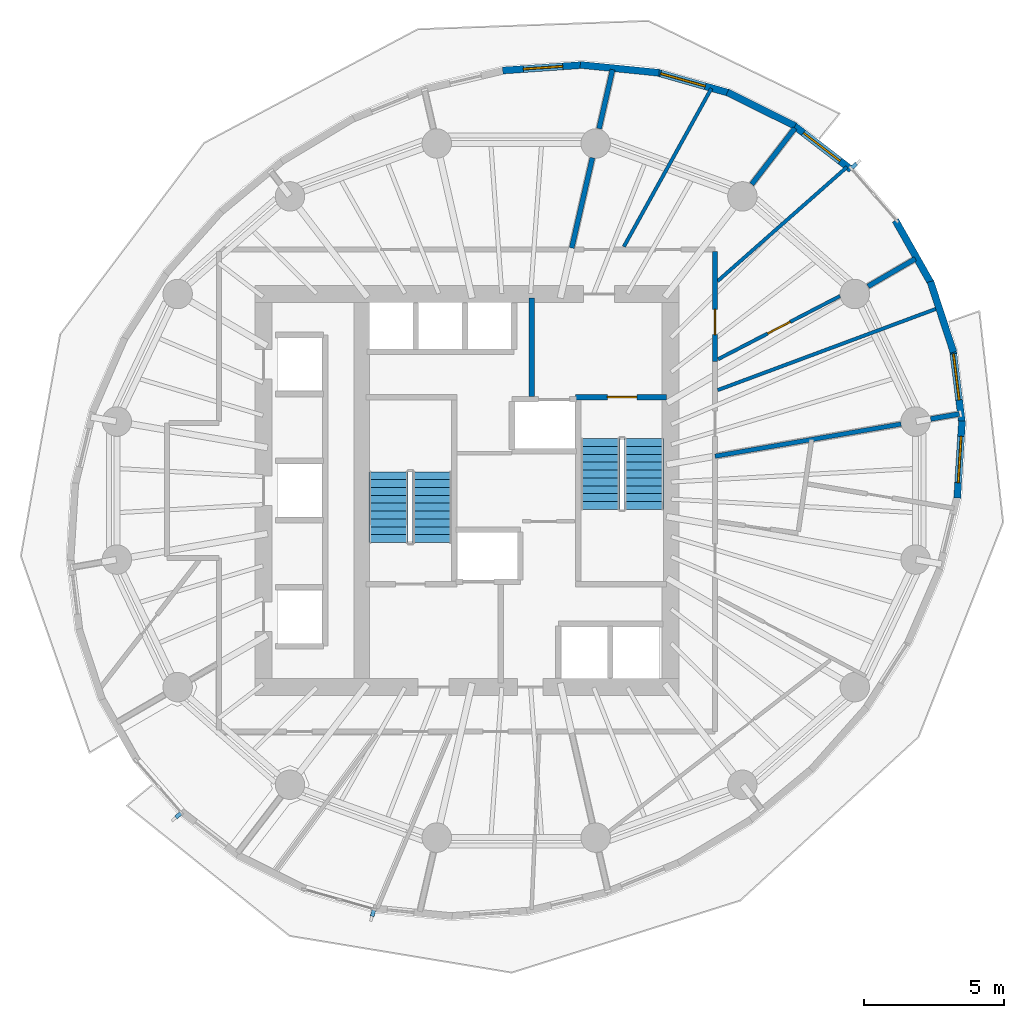
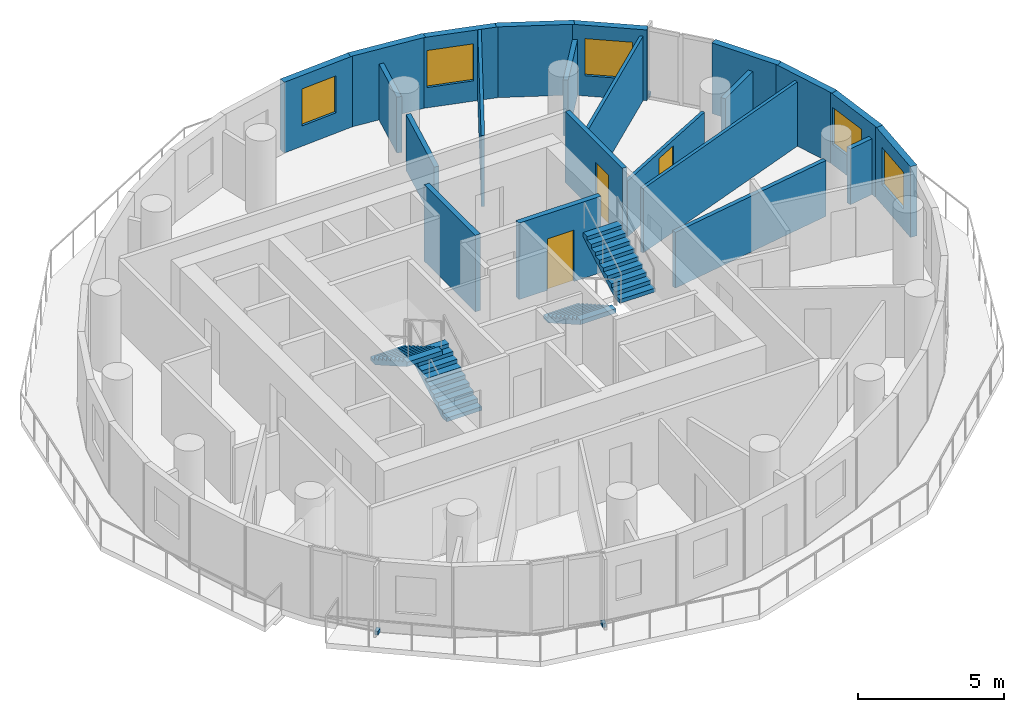
# One storey, part 7 of 12: 22 walls, 5 windows, 4 stair flights, 3 discrete accessories, 3 doors, 8 openings, 2 elements without a shape of their own.
"""IFC4 building model written with IfcOpenShell, lengths in metres."""

from ifc_helpers import new_model, si_unit, direction, frame, frame_2d, origin, origin_2d, place, context, subcontext, project, spatial, polyline, rectangle, outline, extrude, material, layer, layer_set, type_object, element, fill, aggregate, save


model = new_model("IFC4")

# Units and contexts
model_context = context("Model", 3, precision=1e-05, world=origin(), true_north=direction((0.0, 1.0)))
body_context = subcontext(model_context, "Body", "Model", "MODEL_VIEW")
ifc_project = project(units=[si_unit("LENGTHUNIT", "METRE"), si_unit("AREAUNIT", "SQUARE_METRE"), si_unit("VOLUMEUNIT", "CUBIC_METRE"), si_unit("PLANEANGLEUNIT", "RADIAN"), si_unit("MASSUNIT", "GRAM", prefix="KILO")], contexts=[model_context])

# Site, building, storey
site_placement = place(None, origin())
site = spatial("IfcSite", under=ifc_project, at=site_placement, CompositionType="ELEMENT")
building_placement = place(site_placement, origin())
building = spatial("IfcBuilding", under=site, at=building_placement, Name="Veldorim Arch Residences", CompositionType="ELEMENT")
storey_placement = place(building_placement, frame((0.0, 0.0, 148.9599609375)))
storey = spatial("IfcBuildingStorey", under=building, at=storey_placement, Name="L44", CompositionType="ELEMENT", Elevation=148.9599609375)

# Walls
ifc_material_1 = material(Name="Acoustic Gypsum Board", Category="gypsum")
ifc_layer_1 = layer(ifc_material_1, 0.125, Name="Acoustic Stud Room Partition Wall 125")
ifc_layer_set_1 = layer_set([ifc_layer_1], Name="Acoustic Gypsum Board")
wall_type_1 = type_object("IfcWallType", Name="Acoustic Stud Room Partition Wall 125", PredefinedType="PARTITIONING", material=ifc_layer_set_1)
wall_1_placement = place(storey_placement, frame((38.951171875, 38.322509765625, 0.0), z_axis=(0.0, 0.0, 1.0), x_axis=(-0.484039777335, -0.875045995338, 0.0)))
element("IfcWall", 1, at=wall_1_placement, inside=storey, type_object=wall_type_1, Name="L44 interior wall WL-RES-L44-021", PredefinedType="PARTITIONING", context=body_context, shape_type="SweptSolid", body=[
    extrude(rectangle(XDim=6.4423828125, YDim=0.125, at=frame_2d((3.22119140625, 0.0))), origin(), (0.0, 0.0, 1.0), 2.955078125),
])
wall_2_placement = place(storey_placement, frame((43.78271484375, 35.5244140625, 0.0), z_axis=(0.0, 0.0, 1.0), x_axis=(-0.750018545151, -0.661416798947, 0.0)))
element("IfcWall", 2, at=wall_2_placement, inside=storey, type_object=wall_type_1, Name="L44 interior wall WL-RES-L44-023", PredefinedType="PARTITIONING", context=body_context, shape_type="SweptSolid", body=[
    extrude(rectangle(XDim=6.150146484375, YDim=0.125, at=frame_2d((3.0751953125, 0.0))), origin(), (0.0, 0.0, 1.0), 2.692138671875),
])

# Wall, opening, door
wall_3_placement = place(storey_placement, frame((43.531494140625, 30.927001953125, 0.0), z_axis=(0.0, 0.0, 1.0), x_axis=(-0.888041341995, -0.459763607638, 0.0)))
wall_3 = element("IfcWall", 3, at=wall_3_placement, inside=storey, type_object=wall_type_1, Name="L44 interior wall WL-RES-L44-024", PredefinedType="PARTITIONING", context=body_context, shape_type="SweptSolid", body=[
    extrude(rectangle(XDim=4.892822265625, YDim=0.125, at=frame_2d((2.4462890625, 0.0))), origin(), (0.0, 0.0, 1.0), 2.3359375),
])
opening_1_placement = place(wall_3_placement, frame((1.996337890625, 0.0, 0.0)))
opening_1 = element("IfcOpeningElement", 4, at=opening_1_placement, cuts=wall_3, Name="Opening DR-INT", PredefinedType="OPENING", context=body_context, shape_type="SweptSolid", body=[
    extrude(rectangle(XDim=0.89990234375, YDim=2.10009765625, at=frame_2d((0.449951171875, 1.050048828125))), frame((0.0, 0.072509765625, 0.0), z_axis=(0.0, -1.0, 0.0), x_axis=(1.0, 0.0, 0.0)), (0.0, 0.0, 1.0), 0.14501953125),
])
ifc_material_2 = material(Name="Engineered Timber", Category="wood")
door_type_1 = type_object("IfcDoorType", Name="Apartment Internal Room Timber Door 900x2100", OperationType="SINGLE_SWING_LEFT", PredefinedType="DOOR", material=ifc_material_2)
door_1_placement = place(opening_1_placement, origin())
door_1 = element("IfcDoor", 5, at=door_1_placement, inside=storey, type_object=door_type_1, Name="L44 interior door DR-RES-L44-014", OperationType="SINGLE_SWING_RIGHT", OverallHeight=2.10009765625, OverallWidth=0.89990234375, PredefinedType="DOOR", context=body_context, shape_type="SweptSolid", body=[
    extrude(rectangle(XDim=0.89990234375, YDim=2.10009765625, at=frame_2d((0.449951171875, 1.050048828125))), frame((0.0, 0.02490234375, 0.0), z_axis=(0.0, -1.0, 0.0), x_axis=(1.0, 0.0, 0.0)), (0.0, 0.0, 1.0), 0.050048828125),
])
fill(opening_1, door_1)

# Walls
wall_4_placement = place(storey_placement, frame((39.173583984375, 27.57666015625, 0.0), z_axis=(0.0, 0.0, 1.0), x_axis=(0.9372070401, 0.348773513883, 0.0)))
element("IfcWall", 6, at=wall_4_placement, inside=storey, type_object=wall_type_1, Name="L44 interior wall WL-RES-L44-025", PredefinedType="PARTITIONING", context=body_context, shape_type="SweptSolid", body=[
    extrude(rectangle(XDim=8.39501953125, YDim=0.125, at=frame_2d((4.197509765625, 0.0))), origin(), (0.0, 0.0, 1.0), 2.692138671875),
])
ifc_material_3 = material(Name="Lightweight Masonry Block & Gypsum", Category="masonry")
ifc_layer_2 = layer(ifc_material_3, 0.179931640625, Name="Compartment & Corridor Fire-Rated Party Wall 180")
ifc_layer_set_2 = layer_set([ifc_layer_2], Name="Lightweight Masonry Block & Gypsum")
wall_type_2 = type_object("IfcWallType", Name="Compartment & Corridor Fire-Rated Party Wall 180", PredefinedType="PARTITIONING", material=ifc_layer_set_2)
wall_5_placement = place(storey_placement, frame((46.75830078125, 26.55078125, 0.0), z_axis=(0.0, 0.0, 1.0), x_axis=(0.985390767806, 0.170308645474, 0.0)))
element("IfcWall", 7, at=wall_5_placement, inside=storey, type_object=wall_type_2, Name="L44 interior wall WL-PIER-L44-01", PredefinedType="PARTITIONING", context=body_context, shape_type="SweptSolid", body=[
    extrude(rectangle(XDim=1.037841796875, YDim=0.179931640625, at=frame_2d((0.51904296875, 0.0))), origin(), (0.0, 0.0, 1.0), 2.3359375),
])
wall_6_placement = place(storey_placement, frame((44.527587890625, 31.27392578125, 0.0), z_axis=(0.0, 0.0, 1.0), x_axis=(0.864802971131, 0.502111363268, 0.0)))
element("IfcWall", 8, at=wall_6_placement, inside=storey, type_object=wall_type_2, Name="L44 interior wall WL-PIER-L44-02", PredefinedType="PARTITIONING", context=body_context, shape_type="SweptSolid", body=[
    extrude(rectangle(XDim=1.95068359375, YDim=0.179931640625, at=frame_2d((0.975341796875, 0.0))), origin(), (0.0, 0.0, 1.0), 2.3359375),
])
wall_7_placement = place(storey_placement, frame((40.387939453125, 34.908447265625, 0.0), z_axis=(0.0, 0.0, 1.0), x_axis=(0.609556175004, 0.792742877303, 0.0)))
element("IfcWall", 9, at=wall_7_placement, inside=storey, type_object=wall_type_2, Name="L44 interior wall WL-PIER-L44-03", PredefinedType="PARTITIONING", context=body_context, shape_type="SweptSolid", body=[
    extrude(rectangle(XDim=2.518798828125, YDim=0.179931640625, at=frame_2d((1.25927734375, 0.0))), origin(), (0.0, 0.0, 1.0), 2.3359375),
])
wall_8_placement = place(storey_placement, frame((34.950439453125, 36.88916015625, 0.0), z_axis=(0.0, 0.0, 1.0), x_axis=(0.223080127706, 0.974800111111, 0.0)))
element("IfcWall", 10, at=wall_8_placement, inside=storey, type_object=wall_type_2, Name="L44 interior wall WL-PIER-L44-04", PredefinedType="PARTITIONING", context=body_context, shape_type="SweptSolid", body=[
    extrude(rectangle(XDim=2.15478515625, YDim=0.179931640625, at=frame_2d((1.077392578125, 0.0))), origin(), (0.0, 0.0, 1.0), 2.3359375),
])

# Wall, opening, door
wall_9_placement = place(storey_placement, frame((39.080078125, 32.52001953125, 0.0), z_axis=(0.0, 0.0, 1.0), x_axis=(0.0, -1.0, 0.0)))
wall_9 = element("IfcWall", 11, at=wall_9_placement, inside=storey, type_object=wall_type_2, Name="L44 interior wall WL-RES-L44-005", PredefinedType="PARTITIONING", context=body_context, shape_type="SweptSolid", body=[
    extrude(rectangle(XDim=3.917724609375, YDim=0.179931640625, at=frame_2d((1.958984375, 0.0))), origin(), (0.0, 0.0, 1.0), 2.955078125),
])
opening_2_placement = place(wall_9_placement, frame((2.06689453125, 0.0, 0.0)))
opening_2 = element("IfcOpeningElement", 12, at=opening_2_placement, cuts=wall_9, Name="Opening DR-SVC", PredefinedType="OPENING", context=body_context, shape_type="SweptSolid", body=[
    extrude(rectangle(XDim=0.89990234375, YDim=2.10009765625, at=frame_2d((0.449951171875, 1.050048828125))), frame((0.0, 0.099853515625, 0.0), z_axis=(0.0, -1.0, 0.0), x_axis=(1.0, 0.0, 0.0)), (0.0, 0.0, 1.0), 0.199951171875),
])
ifc_material_4 = material(Name="Fire-Rated Steel", Category="steel")
door_type_2 = type_object("IfcDoorType", Name="Riser, Shelter & Plant Room Rated Steel Door 900x2100", OperationType="SINGLE_SWING_LEFT", PredefinedType="DOOR", material=ifc_material_4)
door_2_placement = place(opening_2_placement, origin())
door_2 = element("IfcDoor", 13, at=door_2_placement, inside=storey, type_object=door_type_2, Name="L44 interior door DR-RES-L44-012", OperationType="SINGLE_SWING_RIGHT", OverallHeight=2.10009765625, OverallWidth=0.89990234375, PredefinedType="DOOR", context=body_context, shape_type="SweptSolid", body=[
    extrude(rectangle(XDim=0.89990234375, YDim=2.10009765625, at=frame_2d((0.449951171875, 1.050048828125))), frame((0.0, 0.02490234375, 0.0), z_axis=(0.0, -1.0, 0.0), x_axis=(1.0, 0.0, 0.0)), (0.0, 0.0, 1.0), 0.050048828125),
])
fill(opening_2, door_2)

# Wall
wall_10_placement = place(storey_placement, frame((33.977294921875, 32.638427734375, 0.0), z_axis=(0.0, 0.0, 1.0), x_axis=(0.22319287001, 0.974774303506, 0.0)))
element("IfcWall", 14, at=wall_10_placement, inside=storey, type_object=wall_type_2, Name="L44 interior wall WL-RES-L44-022", PredefinedType="PARTITIONING", context=body_context, shape_type="SweptSolid", body=[
    extrude(rectangle(XDim=3.2958984375, YDim=0.179931640625, at=frame_2d((1.64794921875, 0.0))), origin(), (0.0, 0.0, 1.0), 2.3359375),
])

# Wall, opening, door
ifc_material_5 = material(Name="Concrete C50/60", Category="concrete")
ifc_layer_3 = layer(ifc_material_5, 0.199951171875, Name="Core Stair & Lift Shaft Enclosure Wall 200")
ifc_layer_set_3 = layer_set([ifc_layer_3], Name="Concrete C50/60")
wall_type_3 = type_object("IfcWallType", Name="Core Stair & Lift Shaft Enclosure Wall 200", PredefinedType="SHEAR", material=ifc_layer_set_3)
wall_11_placement = place(storey_placement, frame((34.110107421875, 27.330078125, 0.0), z_axis=(0.0, 0.0, 1.0), x_axis=(1.0, 0.0, 0.0)))
wall_11 = element("IfcWall", 15, at=wall_11_placement, inside=storey, type_object=wall_type_3, Name="L44 shaft wall WL-SHF-L44-ST2-N", PredefinedType="SHEAR", context=body_context, shape_type="SweptSolid", body=[
    extrude(rectangle(XDim=3.239990234375, YDim=0.199951171875, at=frame_2d((1.6201171875, 0.0))), origin(), (0.0, 0.0, 1.0), 3.199951171875),
])
opening_3_placement = place(wall_11_placement, frame((1.135009765625, 0.0, 0.0)))
opening_3 = element("IfcOpeningElement", 16, at=opening_3_placement, cuts=wall_11, Name="Opening DR-ST", PredefinedType="OPENING", context=body_context, shape_type="SweptSolid", body=[
    extrude(rectangle(XDim=1.050048828125, YDim=2.14990234375, at=frame_2d((0.52490234375, 1.074951171875))), frame((0.0, 0.10986328125, 0.0), z_axis=(0.0, -1.0, 0.0), x_axis=(1.0, 0.0, 0.0)), (0.0, 0.0, 1.0), 0.219970703125),
])
ifc_material_6 = material(Name="Fire-Rated Steel", Category="steel")
door_type_3 = type_object("IfcDoorType", Name="Exit Staircase Self-Closing Fire Door 1050x2150", OperationType="SINGLE_SWING_LEFT", PredefinedType="DOOR", material=ifc_material_6)
door_3_placement = place(opening_3_placement, origin())
door_3 = element("IfcDoor", 17, at=door_3_placement, inside=storey, type_object=door_type_3, Name="L44 interior door DR-L44-ST2", OperationType="SINGLE_SWING_RIGHT", OverallHeight=2.14990234375, OverallWidth=1.050048828125, PredefinedType="DOOR", context=body_context, shape_type="SweptSolid", body=[
    extrude(rectangle(XDim=1.050048828125, YDim=2.14990234375, at=frame_2d((0.52490234375, 1.074951171875))), frame((0.0, 0.02490234375, 0.0), z_axis=(0.0, -1.0, 0.0), x_axis=(1.0, 0.0, 0.0)), (0.0, 0.0, 1.0), 0.050048828125),
])
fill(opening_3, door_3)

# Wall
wall_12_placement = place(storey_placement, frame((32.550048828125, 27.35009765625, 0.0), z_axis=(0.0, 0.0, 1.0), x_axis=(0.0, 1.0, 0.0)))
element("IfcWall", 18, at=wall_12_placement, inside=storey, type_object=wall_type_3, Name="L44 shaft wall WL-FFL2-L44-W", PredefinedType="SHEAR", context=body_context, shape_type="SweptSolid", body=[
    extrude(rectangle(XDim=3.5, YDim=0.199951171875, at=frame_2d((1.75, 0.0))), origin(), (0.0, 0.0, 1.0), 3.199951171875),
])

# Wall, opening, window
ifc_material_7 = material(Name="Precast concrete C40/50", Category="concrete")
ifc_layer_4 = layer(ifc_material_7, 0.25, Name="Tower Terracotta Spandrel & Pier Wall 250")
ifc_layer_set_4 = layer_set([ifc_layer_4], Name="Precast concrete C40/50")
wall_type_4 = type_object("IfcWallType", Name="Tower Terracotta Spandrel & Pier Wall 250", PredefinedType="SOLIDWALL", material=ifc_layer_set_4)
wall_13_placement = place(storey_placement, frame((41.83056640625, 37.046142578125, 0.0), z_axis=(0.0, 0.0, 1.0), x_axis=(0.7923805969, -0.610027040103, 0.0)))
wall_13 = element("IfcWall", 19, at=wall_13_placement, inside=storey, type_object=wall_type_4, Name="L44 terracotta facade wall 02", PredefinedType="SOLIDWALL", context=body_context, shape_type="SweptSolid", body=[
    extrude(rectangle(XDim=2.648193359375, YDim=0.25, at=frame_2d((1.32421875, 0.0))), origin(), (0.0, 0.0, 1.0), 2.9599609375),
])
opening_4_placement = place(wall_13_placement, frame((0.4990234375, 0.0, 0.85009765625)))
opening_4 = element("IfcOpeningElement", 20, at=opening_4_placement, cuts=wall_13, Name="Opening WN-03", PredefinedType="OPENING", context=body_context, shape_type="SweptSolid", body=[
    extrude(rectangle(XDim=1.64990234375, YDim=1.550048828125, at=frame_2d((0.824951171875, 0.77490234375))), frame((0.0, 0.135009765625, 0.0), z_axis=(0.0, -1.0, 0.0), x_axis=(1.0, 0.0, 0.0)), (0.0, 0.0, 1.0), 0.27001953125),
])
ifc_material_8 = material(Name="Laminated Low-E Glass", Category="glass")
window_type_1 = type_object("IfcWindowType", Name="Residential Wide Window 1650x1550", PartitioningType="SINGLE_PANEL", PredefinedType="WINDOW", material=ifc_material_8)
window_1_placement = place(opening_4_placement, origin())
window_1 = element("IfcWindow", 21, at=window_1_placement, inside=storey, type_object=window_type_1, Name="L44 solar-control facade window 02", OverallHeight=1.550048828125, OverallWidth=1.64990234375, PartitioningType="SINGLE_PANEL", PredefinedType="WINDOW", context=body_context, shape_type="SweptSolid", body=[
    extrude(rectangle(XDim=1.64990234375, YDim=1.550048828125, at=frame_2d((0.824951171875, 0.77490234375))), frame((0.0, 0.030029296875, 0.0), z_axis=(0.0, -1.0, 0.0), x_axis=(1.0, 0.0, 0.0)), (0.0, 0.0, 1.0), 0.06005859375),
])
fill(opening_4, window_1)

# Wall
wall_14_placement = place(storey_placement, frame((39.51708984375, 38.18798828125, 0.0), z_axis=(0.0, 0.0, 1.0), x_axis=(0.894843809708, -0.446379385979, 0.0)))
element("IfcWall", 22, at=wall_14_placement, inside=storey, type_object=wall_type_4, Name="L44 terracotta facade wall 03", PredefinedType="SOLIDWALL", context=body_context, shape_type="SweptSolid", body=[
    extrude(rectangle(XDim=2.693115234375, YDim=0.25, at=frame_2d((1.3466796875, 0.0))), origin(), (0.0, 0.0, 1.0), 2.9599609375),
])

# Wall, opening, window
wall_15_placement = place(storey_placement, frame((36.97509765625, 38.900146484375, 0.0), z_axis=(0.0, 0.0, 1.0), x_axis=(0.961851311091, -0.27357276062, 0.0)))
wall_15 = element("IfcWall", 23, at=wall_15_placement, inside=storey, type_object=wall_type_4, Name="L44 terracotta facade wall 04", PredefinedType="SOLIDWALL", context=body_context, shape_type="SweptSolid", body=[
    extrude(rectangle(XDim=2.752197265625, YDim=0.25, at=frame_2d((1.3759765625, 0.0))), origin(), (0.0, 0.0, 1.0), 2.9599609375),
])
opening_5_placement = place(wall_15_placement, frame((0.175048828125, 0.0, 0.85009765625)))
opening_5 = element("IfcOpeningElement", 24, at=opening_5_placement, cuts=wall_15, Name="Opening WN-03", PredefinedType="OPENING", context=body_context, shape_type="SweptSolid", body=[
    extrude(rectangle(XDim=1.64990234375, YDim=1.550048828125, at=frame_2d((0.824951171875, 0.77490234375))), frame((0.0, 0.135009765625, 0.0), z_axis=(0.0, -1.0, 0.0), x_axis=(1.0, 0.0, 0.0)), (0.0, 0.0, 1.0), 0.27001953125),
])
window_2_placement = place(opening_5_placement, origin())
window_2 = element("IfcWindow", 25, at=window_2_placement, inside=storey, type_object=window_type_1, Name="L44 solar-control facade window 04", OverallHeight=1.550048828125, OverallWidth=1.64990234375, PartitioningType="SINGLE_PANEL", PredefinedType="WINDOW", context=body_context, shape_type="SweptSolid", body=[
    extrude(rectangle(XDim=1.64990234375, YDim=1.550048828125, at=frame_2d((0.824951171875, 0.77490234375))), frame((0.0, 0.030029296875, 0.0), z_axis=(0.0, -1.0, 0.0), x_axis=(1.0, 0.0, 0.0)), (0.0, 0.0, 1.0), 0.06005859375),
])
fill(opening_5, window_2)

# Wall
wall_16_placement = place(storey_placement, frame((34.281494140625, 39.16015625, 0.0), z_axis=(0.0, 0.0, 1.0), x_axis=(0.995013999105, -0.099735357744, 0.0)))
element("IfcWall", 26, at=wall_16_placement, inside=storey, type_object=wall_type_4, Name="L44 terracotta facade wall 05", PredefinedType="SOLIDWALL", context=body_context, shape_type="SweptSolid", body=[
    extrude(rectangle(XDim=2.817626953125, YDim=0.25, at=frame_2d((1.40869140625, 0.0))), origin(), (0.0, 0.0, 1.0), 2.9599609375),
])

# Wall, opening, window
wall_17_placement = place(storey_placement, frame((31.517333984375, 38.960205078125, 0.0), z_axis=(0.0, 0.0, 1.0), x_axis=(0.997630729469, 0.068796276206, 0.0)))
wall_17 = element("IfcWall", 27, at=wall_17_placement, inside=storey, type_object=wall_type_4, Name="L44 terracotta facade wall 06", PredefinedType="SOLIDWALL", context=body_context, shape_type="SweptSolid", body=[
    extrude(rectangle(XDim=2.881591796875, YDim=0.25, at=frame_2d((1.44091796875, 0.0))), origin(), (0.0, 0.0, 1.0), 2.9599609375),
])
opening_6_placement = place(wall_17_placement, frame((0.740966796875, 0.0, 0.85009765625)))
opening_6 = element("IfcOpeningElement", 28, at=opening_6_placement, cuts=wall_17, Name="Opening WN-02", PredefinedType="OPENING", context=body_context, shape_type="SweptSolid", body=[
    extrude(rectangle(XDim=1.39990234375, YDim=1.550048828125, at=frame_2d((0.699951171875, 0.77490234375))), frame((0.0, 0.135009765625, 0.0), z_axis=(0.0, -1.0, 0.0), x_axis=(1.0, 0.0, 0.0)), (0.0, 0.0, 1.0), 0.27001953125),
])
ifc_material_9 = material(Name="Laminated Low-E Glass", Category="glass")
window_type_2 = type_object("IfcWindowType", Name="Residential Casement Window 1400x1550", PartitioningType="SINGLE_PANEL", PredefinedType="WINDOW", material=ifc_material_9)
window_3_placement = place(opening_6_placement, origin())
window_3 = element("IfcWindow", 29, at=window_3_placement, inside=storey, type_object=window_type_2, Name="L44 solar-control facade window 06", OverallHeight=1.550048828125, OverallWidth=1.39990234375, PartitioningType="SINGLE_PANEL", PredefinedType="WINDOW", context=body_context, shape_type="SweptSolid", body=[
    extrude(rectangle(XDim=1.39990234375, YDim=1.550048828125, at=frame_2d((0.699951171875, 0.77490234375))), frame((0.0, 0.030029296875, 0.0), z_axis=(0.0, -1.0, 0.0), x_axis=(1.0, 0.0, 0.0)), (0.0, 0.0, 1.0), 0.06005859375),
])
fill(opening_6, window_3)

wall_18_placement = place(storey_placement, frame((47.877685546875, 26.479248046875, 0.0), z_axis=(0.0, 0.0, 1.0), x_axis=(-0.062278868317, -0.998058787127, 0.0)))
wall_18 = element("IfcWall", 30, at=wall_18_placement, inside=storey, type_object=wall_type_4, Name="L44 terracotta facade wall 33", PredefinedType="SOLIDWALL", context=body_context, shape_type="SweptSolid", body=[
    extrude(rectangle(XDim=2.751953125, YDim=0.25, at=frame_2d((1.3759765625, 0.0))), origin(), (0.0, 0.0, 1.0), 2.9599609375),
])
opening_7_placement = place(wall_18_placement, frame((0.551025390625, 0.0, 0.85009765625)))
opening_7 = element("IfcOpeningElement", 31, at=opening_7_placement, cuts=wall_18, Name="Opening WN-03", PredefinedType="OPENING", context=body_context, shape_type="SweptSolid", body=[
    extrude(rectangle(XDim=1.64990234375, YDim=1.550048828125, at=frame_2d((0.824951171875, 0.77490234375))), frame((0.0, 0.135009765625, 0.0), z_axis=(0.0, -1.0, 0.0), x_axis=(1.0, 0.0, 0.0)), (0.0, 0.0, 1.0), 0.27001953125),
])
window_4_placement = place(opening_7_placement, origin())
window_4 = element("IfcWindow", 32, at=window_4_placement, inside=storey, type_object=window_type_1, Name="L44 solar-control facade window 33", OverallHeight=1.550048828125, OverallWidth=1.64990234375, PartitioningType="SINGLE_PANEL", PredefinedType="WINDOW", context=body_context, shape_type="SweptSolid", body=[
    extrude(rectangle(XDim=1.64990234375, YDim=1.550048828125, at=frame_2d((0.824951171875, 0.77490234375))), frame((0.0, 0.030029296875, 0.0), z_axis=(0.0, -1.0, 0.0), x_axis=(1.0, 0.0, 0.0)), (0.0, 0.0, 1.0), 0.06005859375),
])
fill(opening_7, window_4)

wall_19_placement = place(storey_placement, frame((47.54931640625, 29.0390625, 0.0), z_axis=(0.0, 0.0, 1.0), x_axis=(0.123197890413, -0.992382123881, 0.0)))
wall_19 = element("IfcWall", 33, at=wall_19_placement, inside=storey, type_object=wall_type_4, Name="L44 terracotta facade wall 34", PredefinedType="SOLIDWALL", context=body_context, shape_type="SweptSolid", body=[
    extrude(rectangle(XDim=2.693115234375, YDim=0.25, at=frame_2d((1.3466796875, 0.0))), origin(), (0.0, 0.0, 1.0), 2.9599609375),
])
opening_8_placement = place(wall_19_placement, frame((0.175048828125, 0.0, 0.85009765625)))
opening_8 = element("IfcOpeningElement", 34, at=opening_8_placement, cuts=wall_19, Name="Opening WN-03", PredefinedType="OPENING", context=body_context, shape_type="SweptSolid", body=[
    extrude(rectangle(XDim=1.64990234375, YDim=1.550048828125, at=frame_2d((0.824951171875, 0.77490234375))), frame((0.0, 0.135009765625, 0.0), z_axis=(0.0, -1.0, 0.0), x_axis=(1.0, 0.0, 0.0)), (0.0, 0.0, 1.0), 0.27001953125),
])
window_5_placement = place(opening_8_placement, origin())
window_5 = element("IfcWindow", 35, at=window_5_placement, inside=storey, type_object=window_type_1, Name="L44 solar-control facade window 34", OverallHeight=1.550048828125, OverallWidth=1.64990234375, PartitioningType="SINGLE_PANEL", PredefinedType="WINDOW", context=body_context, shape_type="SweptSolid", body=[
    extrude(rectangle(XDim=1.64990234375, YDim=1.550048828125, at=frame_2d((0.824951171875, 0.77490234375))), frame((0.0, 0.030029296875, 0.0), z_axis=(0.0, -1.0, 0.0), x_axis=(1.0, 0.0, 0.0)), (0.0, 0.0, 1.0), 0.06005859375),
])
fill(opening_8, window_5)

# Walls
wall_20_placement = place(storey_placement, frame((46.749267578125, 31.4443359375, 0.0), z_axis=(0.0, 0.0, 1.0), x_axis=(0.311522010952, -0.950238936633, 0.0)))
element("IfcWall", 36, at=wall_20_placement, inside=storey, type_object=wall_type_4, Name="L44 terracotta facade wall 35", PredefinedType="SOLIDWALL", context=body_context, shape_type="SweptSolid", body=[
    extrude(rectangle(XDim=2.648193359375, YDim=0.25, at=frame_2d((1.32421875, 0.0))), origin(), (0.0, 0.0, 1.0), 2.9599609375),
])
wall_21_placement = place(storey_placement, frame((45.501953125, 33.623046875, 0.0), z_axis=(0.0, 0.0, 1.0), x_axis=(0.492909281161, -0.870080709214, 0.0)))
element("IfcWall", 37, at=wall_21_placement, inside=storey, type_object=wall_type_4, Name="L44 terracotta facade wall 36", PredefinedType="SOLIDWALL", context=body_context, shape_type="SweptSolid", body=[
    extrude(rectangle(XDim=2.6240234375, YDim=0.25, at=frame_2d((1.31201171875, 0.0))), origin(), (0.0, 0.0, 1.0), 2.9599609375),
])
ifc_material_10 = material(Name="Moisture-Resistant Gypsum & Stud", Category="gypsum")
ifc_layer_5 = layer(ifc_material_10, 0.159912109375, Name="Wet-Area Moisture-Resistant Plumbing Wall 160")
ifc_layer_set_5 = layer_set([ifc_layer_5], Name="Moisture-Resistant Gypsum & Stud")
wall_type_5 = type_object("IfcWallType", Name="Wet-Area Moisture-Resistant Plumbing Wall 160", PredefinedType="PLUMBINGWALL", material=ifc_layer_set_5)
wall_22_placement = place(storey_placement, frame((39.080078125, 25.2236328125, 0.0), z_axis=(0.0, 0.0, 1.0), x_axis=(0.985384524795, 0.17034476304, 0.0)))
element("IfcWall", 38, at=wall_22_placement, inside=storey, type_object=wall_type_5, Name="L44 interior wall WL-RES-L44-019", PredefinedType="PLUMBINGWALL", context=body_context, shape_type="SweptSolid", body=[
    extrude(rectangle(XDim=6.7216796875, YDim=0.159912109375, at=frame_2d((3.36083984375, 0.0))), origin(), (0.0, 0.0, 1.0), 2.3359375),
])

# Stair, stair flights
ifc_material_11 = material(Name="Concrete C40/50", Category="concrete")
stair_type = type_object("IfcStairType", Name="Reinforced Concrete Dogleg Exit Staircase", PredefinedType="HALF_TURN_STAIR", material=ifc_material_11)
stair_1_placement = place(storey_placement, origin())
stair_1 = element("IfcStair", 39, at=stair_1_placement, inside=storey, type_object=stair_type, Name="L44 Exit Staircase ST-1", PredefinedType="HALF_TURN_STAIR")
ifc_material_12 = material(Name="Concrete C40/50", Category="concrete")
stair_flight_type = type_object("IfcStairFlightType", Name="Reinforced Concrete Stair Flight 1400", PredefinedType="STRAIGHT", material=ifc_material_12)
stair_flight_1_placement = place(storey_placement, frame((29.010009765625, 22.14990234375, 0.0), z_axis=(0.0, 0.0, 1.0), x_axis=(0.0, 1.0, 0.0)))
stair_flight_1 = element("IfcStairFlight", 40, at=stair_flight_1_placement, type_object=stair_flight_type, Name="ST-1 flight 1", NumberOfRisers=10, NumberOfTreads=9, PredefinedType="STRAIGHT", RiserHeight=0.16, TreadLength=0.28, context=body_context, shape_type="SweptSolid", body=[
    extrude(outline(polyline([(0.0, 0.0), (0.0, 0.159912109375), (0.280029296875, 0.159912109375), (0.280029296875, 0.320068359375), (0.56005859375, 0.320068359375), (0.56005859375, 0.47998046875), (0.840087890625, 0.47998046875), (0.840087890625, 0.639892578125), (1.1201171875, 0.639892578125), (1.1201171875, 0.800048828125), (1.39990234375, 0.800048828125), (1.39990234375, 0.9599609375), (1.679931640625, 0.9599609375), (1.679931640625, 1.1201171875), (1.9599609375, 1.1201171875), (1.9599609375, 1.280029296875), (2.239990234375, 1.280029296875), (2.239990234375, 1.43994140625), (2.52001953125, 1.43994140625), (2.52001953125, 1.60009765625), (2.52001953125, 1.255859375), (0.322265625, 0.0), (0.0, 0.0)])), frame((0.0, 0.699951171875, 0.0), z_axis=(0.0, -1.0, 0.0), x_axis=(1.0, 0.0, 0.0)), (0.0, 0.0, 1.0), 1.39990234375),
])
stair_flight_2_placement = place(storey_placement, frame((27.449951171875, 24.669921875, 1.60009765625), z_axis=(0.0, 0.0, 1.0), x_axis=(0.0, -1.0, 0.0)))
stair_flight_2 = element("IfcStairFlight", 41, at=stair_flight_2_placement, type_object=stair_flight_type, Name="ST-1 flight 2", NumberOfRisers=10, NumberOfTreads=9, PredefinedType="STRAIGHT", RiserHeight=0.16, TreadLength=0.28, context=body_context, shape_type="SweptSolid", body=[
    extrude(outline(polyline([(0.0, 0.0), (0.0, 0.159912109375), (0.280029296875, 0.159912109375), (0.280029296875, 0.320068359375), (0.56005859375, 0.320068359375), (0.56005859375, 0.47998046875), (0.840087890625, 0.47998046875), (0.840087890625, 0.639892578125), (1.1201171875, 0.639892578125), (1.1201171875, 0.800048828125), (1.39990234375, 0.800048828125), (1.39990234375, 0.9599609375), (1.679931640625, 0.9599609375), (1.679931640625, 1.1201171875), (1.9599609375, 1.1201171875), (1.9599609375, 1.280029296875), (2.239990234375, 1.280029296875), (2.239990234375, 1.43994140625), (2.52001953125, 1.43994140625), (2.52001953125, 1.60009765625), (2.52001953125, 1.255859375), (0.322265625, 0.0), (0.0, 0.0)])), frame((0.0, 0.699951171875, 0.0), z_axis=(0.0, -1.0, 0.0), x_axis=(1.0, 0.0, 0.0)), (0.0, 0.0, 1.0), 1.39990234375),
])
aggregate(stair_1, [stair_flight_1, stair_flight_2])

stair_2_placement = place(storey_placement, origin())
stair_2 = element("IfcStair", 42, at=stair_2_placement, inside=storey, type_object=stair_type, Name="L44 Exit Staircase ST-2", PredefinedType="HALF_TURN_STAIR")
stair_flight_3_placement = place(storey_placement, frame((34.989990234375, 25.85009765625, 0.0), z_axis=(0.0, 0.0, 1.0), x_axis=(0.0, -1.0, 0.0)))
stair_flight_3 = element("IfcStairFlight", 43, at=stair_flight_3_placement, type_object=stair_flight_type, Name="ST-2 flight 1", NumberOfRisers=10, NumberOfTreads=9, PredefinedType="STRAIGHT", RiserHeight=0.16, TreadLength=0.28, context=body_context, shape_type="SweptSolid", body=[
    extrude(outline(polyline([(0.0, 0.0), (0.0, 0.159912109375), (0.280029296875, 0.159912109375), (0.280029296875, 0.320068359375), (0.56005859375, 0.320068359375), (0.56005859375, 0.47998046875), (0.840087890625, 0.47998046875), (0.840087890625, 0.639892578125), (1.1201171875, 0.639892578125), (1.1201171875, 0.800048828125), (1.39990234375, 0.800048828125), (1.39990234375, 0.9599609375), (1.679931640625, 0.9599609375), (1.679931640625, 1.1201171875), (1.9599609375, 1.1201171875), (1.9599609375, 1.280029296875), (2.239990234375, 1.280029296875), (2.239990234375, 1.43994140625), (2.52001953125, 1.43994140625), (2.52001953125, 1.60009765625), (2.52001953125, 1.255859375), (0.322265625, 0.0), (0.0, 0.0)])), frame((0.0, 0.699951171875, 0.0), z_axis=(0.0, -1.0, 0.0), x_axis=(1.0, 0.0, 0.0)), (0.0, 0.0, 1.0), 1.39990234375),
])
stair_flight_4_placement = place(storey_placement, frame((36.550048828125, 23.330078125, 1.60009765625), z_axis=(0.0, 0.0, 1.0), x_axis=(0.0, 1.0, 0.0)))
stair_flight_4 = element("IfcStairFlight", 44, at=stair_flight_4_placement, type_object=stair_flight_type, Name="ST-2 flight 2", NumberOfRisers=10, NumberOfTreads=9, PredefinedType="STRAIGHT", RiserHeight=0.16, TreadLength=0.28, context=body_context, shape_type="SweptSolid", body=[
    extrude(outline(polyline([(0.0, 0.0), (0.0, 0.159912109375), (0.280029296875, 0.159912109375), (0.280029296875, 0.320068359375), (0.56005859375, 0.320068359375), (0.56005859375, 0.47998046875), (0.840087890625, 0.47998046875), (0.840087890625, 0.639892578125), (1.1201171875, 0.639892578125), (1.1201171875, 0.800048828125), (1.39990234375, 0.800048828125), (1.39990234375, 0.9599609375), (1.679931640625, 0.9599609375), (1.679931640625, 1.1201171875), (1.9599609375, 1.1201171875), (1.9599609375, 1.280029296875), (2.239990234375, 1.280029296875), (2.239990234375, 1.43994140625), (2.52001953125, 1.43994140625), (2.52001953125, 1.60009765625), (2.52001953125, 1.255859375), (0.322265625, 0.0), (0.0, 0.0)])), frame((0.0, 0.699951171875, 0.0), z_axis=(0.0, -1.0, 0.0), x_axis=(1.0, 0.0, 0.0)), (0.0, 0.0, 1.0), 1.39990234375),
])
aggregate(stair_2, [stair_flight_3, stair_flight_4])

# Discrete accessories
ifc_material_13 = material(Name="Stainless Steel", Category="steel")
discrete_accessory_type = type_object("IfcDiscreteAccessoryType", Name="Stainless Steel Facade Fin Anchor Bracket", PredefinedType="BRACKET", material=ifc_material_13)
for number, where, z_axis, x_axis, name in (
    (45, (44.0302734375, 35.563720703125, -0.02001953125), (0.0, 0.0, 1.0), (0.656454104053, -0.75436596508, 0.0), "L44 stainless fin anchor bracket 01"),
    (46, (19.9697265625, 12.436279296875, -0.02001953125), (0.0, 0.0, 1.0), (-0.656454104053, 0.75436596508, 0.0), "L44 stainless fin anchor bracket 19"),
    (47, (26.89990234375, 8.95361328125, -0.02001953125), (0.0, 0.0, 1.0), (-0.961836880762, 0.273623490961, 0.0), "L44 stainless fin anchor bracket 22"),
):
    element("IfcDiscreteAccessory", number, at=place(storey_placement, frame(where, z_axis=z_axis, x_axis=x_axis)), inside=storey, type_object=discrete_accessory_type, Name=name, PredefinedType="BRACKET", context=body_context, shape_type="SweptSolid", body=[
        extrude(rectangle(XDim=0.139892578125, YDim=0.239990234375, at=origin_2d()), origin(), (0.0, 0.0, 1.0), 0.159912109375),
    ])

save(model, "model.ifc")
